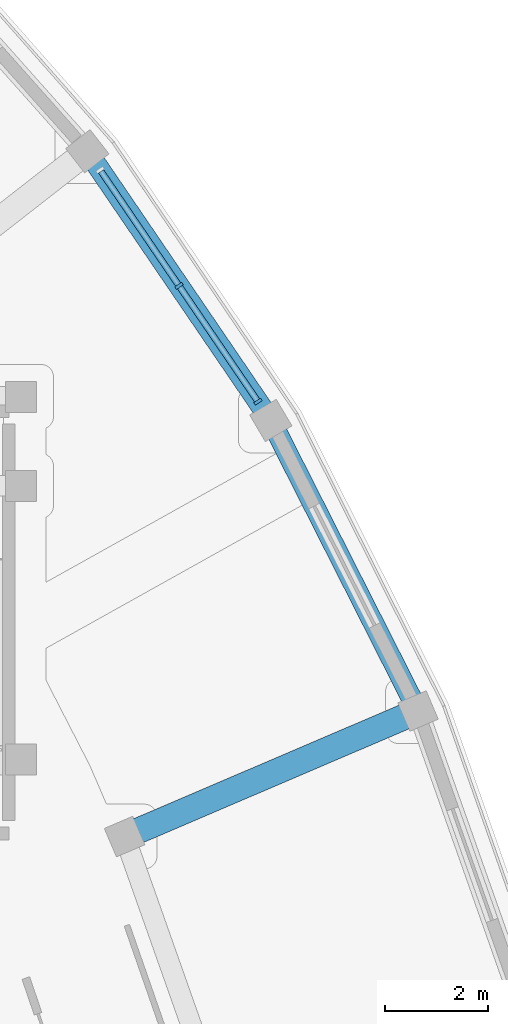
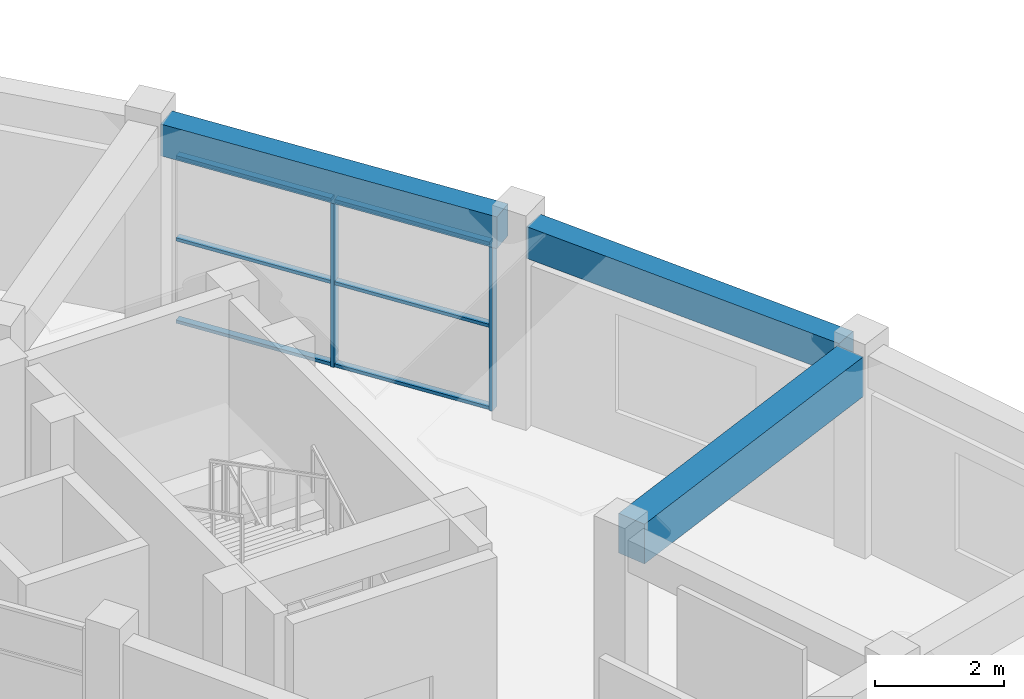
# One storey, part 39 of 83: 8 members, 3 beams, 1 element without a shape of its own.
"""IFC4 building model written with IfcOpenShell, lengths in metres."""

from ifc_helpers import new_model, si_unit, direction, frame, origin, origin_2d, place, context, subcontext, project, spatial, rectangle, extrude, material, material_profile, profile_set, type_object, element, aggregate, save


model = new_model("IFC4")

# Units and contexts
model_context = context("Model", 3, precision=1e-05, world=origin(), true_north=direction((0.0, 1.0)))
body_context = subcontext(model_context, "Body", "Model", "MODEL_VIEW")
ifc_project = project(units=[si_unit("LENGTHUNIT", "METRE"), si_unit("AREAUNIT", "SQUARE_METRE"), si_unit("VOLUMEUNIT", "CUBIC_METRE"), si_unit("PLANEANGLEUNIT", "RADIAN"), si_unit("MASSUNIT", "GRAM", prefix="KILO")], contexts=[model_context])

# Site, building, storey
site_placement = place(None, origin())
site = spatial("IfcSite", under=ifc_project, at=site_placement, CompositionType="ELEMENT")
building_placement = place(site_placement, origin())
building = spatial("IfcBuilding", under=site, at=building_placement, Name="Saryqyr Civic Hall", CompositionType="ELEMENT")
storey_placement = place(building_placement, frame((0.0, 0.0, 9.14990234375)))
storey = spatial("IfcBuildingStorey", under=building, at=storey_placement, Name="L02", CompositionType="ELEMENT", Elevation=9.14990234375)

# Curtain wall, members
ifc_material_1 = material(Name="Anodised aluminium and triple low-E glass", Category="aluminium")
curtain_wall_type = type_object("IfcCurtainWallType", Name="ENV-CW-STD-47", PredefinedType="NOTDEFINED", material=ifc_material_1)
curtain_wall_placement = place(storey_placement, origin())
curtain_wall = element("IfcCurtainWall", 1, at=curtain_wall_placement, inside=storey, type_object=curtain_wall_type, Name="Curtain wall V6-CWO-L02-04", PredefinedType="NOTDEFINED")
ifc_material_2 = material(Name="Anodised aluminium", Category="aluminium")
ifc_material_profile_1 = material_profile(ifc_material_2, rectangle(XDim=0.06005859375, YDim=0.159912109375, at=origin_2d()), Name="ALU MULLION 60x160")
ifc_profile_set_1 = profile_set([ifc_material_profile_1], Name="Anodised aluminium")
member_type_1 = type_object("IfcMemberType", Name="ENV-CW-MUL-180", PredefinedType="MULLION", material=ifc_profile_set_1)
member_1_placement = place(storey_placement, frame((97.407470703125, 111.53564453125, 0.0), z_axis=(0.0, 0.0, 1.0), x_axis=(0.563117564, -0.826376796089, 0.0)))
member_1 = element("IfcMember", 2, at=member_1_placement, type_object=member_type_1, Name="CW-47 mullion 2", PredefinedType="MULLION", context=body_context, shape_type="SweptSolid", body=[
    extrude(rectangle(XDim=0.06005859375, YDim=0.159912109375, at=origin_2d()), origin(), (0.0, 0.0, 1.0), 3.1650390625),
])
member_2_placement = place(storey_placement, frame((98.94091796875, 109.28564453125, 0.0), z_axis=(0.0, 0.0, 1.0), x_axis=(0.563117564, -0.826376796089, 0.0)))
member_2 = element("IfcMember", 3, at=member_2_placement, type_object=member_type_1, Name="CW-47 mullion 3", PredefinedType="MULLION", context=body_context, shape_type="SweptSolid", body=[
    extrude(rectangle(XDim=0.06005859375, YDim=0.159912109375, at=origin_2d()), origin(), (0.0, 0.0, 1.0), 3.1650390625),
])
ifc_material_profile_2 = material_profile(ifc_material_2, rectangle(XDim=0.1201171875, YDim=0.06005859375, at=origin_2d()), Name="ALU TRANSOM 120x60")
ifc_profile_set_2 = profile_set([ifc_material_profile_2], Name="Anodised aluminium")
member_type_2 = type_object("IfcMemberType", Name="ENV-CW-TRN-150", PredefinedType="USERDEFINED", material=ifc_profile_set_2)
member_3_placement = place(storey_placement, frame((95.89111328125, 113.760986328125, 0.030029296875), z_axis=(0.563134814323, -0.826365040946, 0.0), x_axis=(0.826365040946, 0.563134814323, 0.0)))
member_3 = element("IfcMember", 4, at=member_3_placement, type_object=member_type_2, Name="CW-47 transom 1.1", ObjectType="TRANSOM", PredefinedType="USERDEFINED", context=body_context, shape_type="SweptSolid", body=[
    extrude(rectangle(XDim=0.1201171875, YDim=0.06005859375, at=origin_2d()), origin(), (0.0, 0.0, 1.0), 2.662841796875),
])
member_4_placement = place(storey_placement, frame((95.89111328125, 113.760986328125, 1.58203125), z_axis=(0.563134814323, -0.826365040946, 0.0), x_axis=(0.826365040946, 0.563134814323, 0.0)))
member_4 = element("IfcMember", 5, at=member_4_placement, type_object=member_type_2, Name="CW-47 transom 1.2", ObjectType="TRANSOM", PredefinedType="USERDEFINED", context=body_context, shape_type="SweptSolid", body=[
    extrude(rectangle(XDim=0.1201171875, YDim=0.06005859375, at=origin_2d()), origin(), (0.0, 0.0, 1.0), 2.662841796875),
])
member_5_placement = place(storey_placement, frame((95.89111328125, 113.760986328125, 3.135009765625), z_axis=(0.563134814323, -0.826365040946, 0.0), x_axis=(0.826365040946, 0.563134814323, 0.0)))
member_5 = element("IfcMember", 6, at=member_5_placement, type_object=member_type_2, Name="CW-47 transom 1.3", ObjectType="TRANSOM", PredefinedType="USERDEFINED", context=body_context, shape_type="SweptSolid", body=[
    extrude(rectangle(XDim=0.1201171875, YDim=0.06005859375, at=origin_2d()), origin(), (0.0, 0.0, 1.0), 2.662841796875),
])
member_6_placement = place(storey_placement, frame((97.424560546875, 111.510986328125, 0.030029296875), z_axis=(0.563072199079, -0.826407707263, 0.0), x_axis=(0.826407707263, 0.563072199079, 0.0)))
member_6 = element("IfcMember", 7, at=member_6_placement, type_object=member_type_2, Name="CW-47 transom 2.1", ObjectType="TRANSOM", PredefinedType="USERDEFINED", context=body_context, shape_type="SweptSolid", body=[
    extrude(rectangle(XDim=0.1201171875, YDim=0.06005859375, at=origin_2d()), origin(), (0.0, 0.0, 1.0), 2.66259765625),
])
member_7_placement = place(storey_placement, frame((97.424560546875, 111.510986328125, 1.58203125), z_axis=(0.563072199079, -0.826407707263, 0.0), x_axis=(0.826407707263, 0.563072199079, 0.0)))
member_7 = element("IfcMember", 8, at=member_7_placement, type_object=member_type_2, Name="CW-47 transom 2.2", ObjectType="TRANSOM", PredefinedType="USERDEFINED", context=body_context, shape_type="SweptSolid", body=[
    extrude(rectangle(XDim=0.1201171875, YDim=0.06005859375, at=origin_2d()), origin(), (0.0, 0.0, 1.0), 2.66259765625),
])
member_8_placement = place(storey_placement, frame((97.424560546875, 111.510986328125, 3.135009765625), z_axis=(0.563072199079, -0.826407707263, 0.0), x_axis=(0.826407707263, 0.563072199079, 0.0)))
member_8 = element("IfcMember", 9, at=member_8_placement, type_object=member_type_2, Name="CW-47 transom 2.3", ObjectType="TRANSOM", PredefinedType="USERDEFINED", context=body_context, shape_type="SweptSolid", body=[
    extrude(rectangle(XDim=0.1201171875, YDim=0.06005859375, at=origin_2d()), origin(), (0.0, 0.0, 1.0), 2.66259765625),
])
aggregate(curtain_wall, [member_1, member_2, member_3, member_4, member_5, member_6, member_7, member_8])

# Beams
ifc_material_3 = material(Name="Concrete C35/45", Category="concrete")
ifc_material_profile_3 = material_profile(ifc_material_3, rectangle(XDim=0.39990234375, YDim=0.60009765625, at=origin_2d()), Name="RC 400x600")
ifc_profile_set_3 = profile_set([ifc_material_profile_3], Name="Concrete C35/45")
beam_type_1 = type_object("IfcBeamType", Name="STR-BM-RC400x600-EXT", PredefinedType="BEAM", material=ifc_profile_set_3)
for number, where, z_axis, x_axis, name in (
    (10, (101.925048828125, 103.52099609375, 3.489990234375), (-0.451922654691, 0.892057124952, 0.0), (-0.892057124952, -0.451922654691, 0.0), "Beam V6-CBM-OUT03-L02"),
    (11, (99.034423828125, 109.148193359375, 3.489990234375), (-0.563115242299, 0.82637837816, 0.0), (-0.82637837816, -0.563115242299, 0.0), "Beam V6-CBM-OUT04-L02"),
):
    element("IfcBeam", number, at=place(storey_placement, frame(where, z_axis=z_axis, x_axis=x_axis)), inside=storey, type_object=beam_type_1, Name=name, PredefinedType="BEAM", context=body_context, shape_type="SweptSolid", body=[
        extrude(rectangle(XDim=0.39990234375, YDim=0.60009765625, at=origin_2d()), origin(), (0.0, 0.0, 1.0), 5.7783203125),
    ])
ifc_material_4 = material(Name="Concrete C40/50", Category="concrete")
ifc_material_profile_4 = material_profile(ifc_material_4, rectangle(XDim=0.5, YDim=0.75, at=origin_2d()), Name="RC 500x750")
ifc_profile_set_4 = profile_set([ifc_material_profile_4], Name="Concrete C40/50")
beam_type_2 = type_object("IfcBeamType", Name="STR-BM-RC500x750", PredefinedType="BEAM", material=ifc_profile_set_4)
beam_placement = place(storey_placement, frame((96.60205078125, 100.94482421875, 3.4150390625), z_axis=(0.919375077042, 0.393382088706, 0.0), x_axis=(-0.393382088706, 0.919375077042, 0.0)))
element("IfcBeam", 12, at=beam_placement, inside=storey, type_object=beam_type_2, Name="Beam V6-RBM-B03-L02", PredefinedType="BEAM", context=body_context, shape_type="SweptSolid", body=[
    extrude(rectangle(XDim=0.5, YDim=0.75, at=origin_2d()), origin(), (0.0, 0.0, 1.0), 5.650146484375),
])

save(model, "model.ifc")
